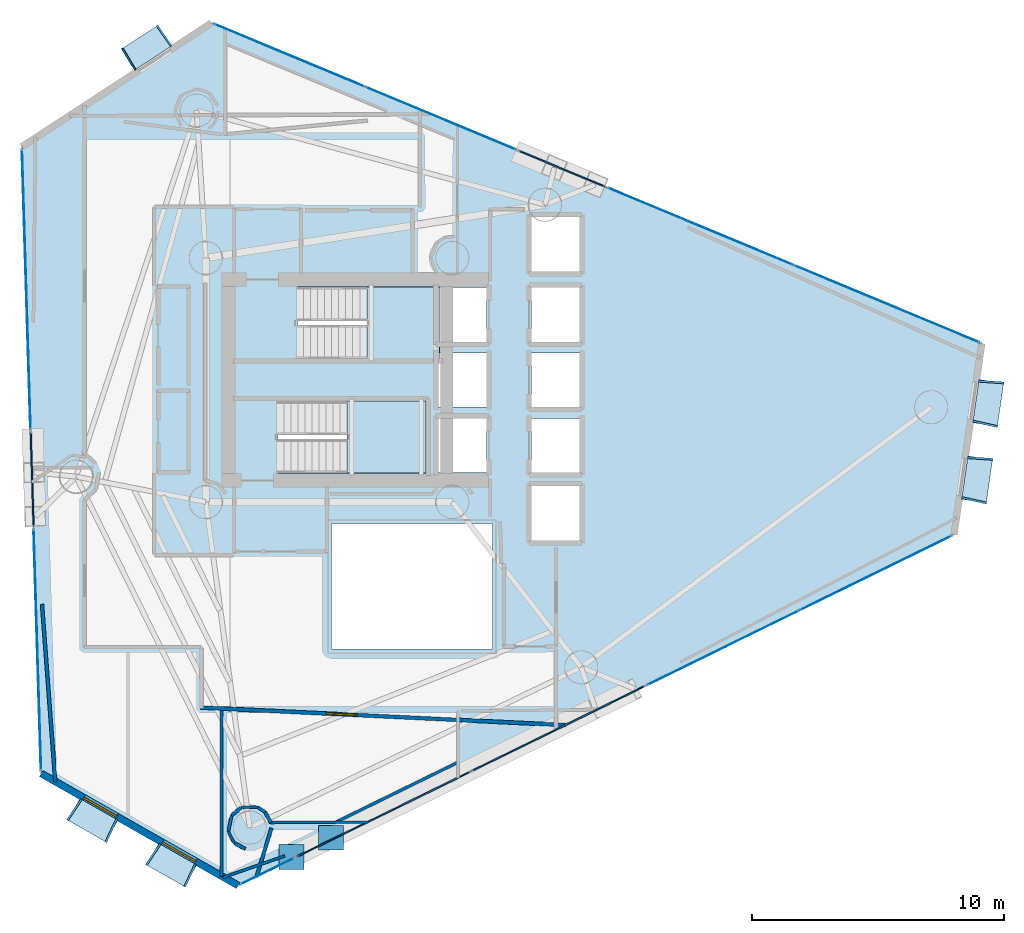
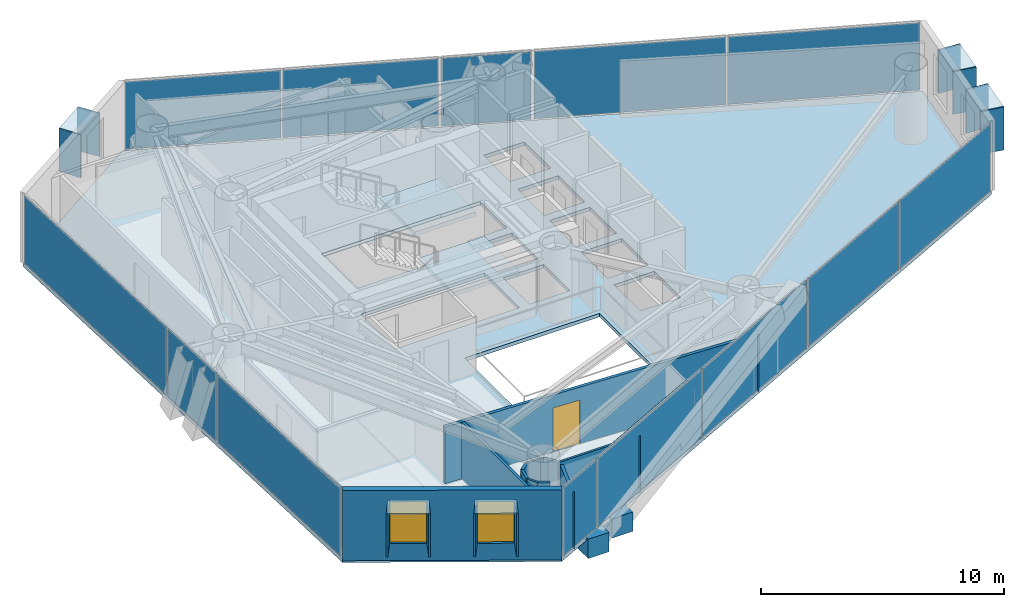
# One storey, part 17 of 22: 30 plates, 15 walls, 3 slabs, 2 windows, 1 door, 3 openings, 11 elements without a shape of their own.
"""IFC4 building model written with IfcOpenShell, lengths in metres."""

from ifc_helpers import new_model, si_unit, direction, frame, frame_2d, origin, origin_2d, place, context, subcontext, project, spatial, polyline, rectangle, outline, extrude, material, layer, layer_set, type_object, element, fill, aggregate, save


model = new_model("IFC4")

# Units and contexts
model_context = context("Model", 3, precision=1e-05, world=origin(), true_north=direction((0.0, 1.0)))
body_context = subcontext(model_context, "Body", "Model", "MODEL_VIEW")
ifc_project = project(units=[si_unit("LENGTHUNIT", "METRE"), si_unit("AREAUNIT", "SQUARE_METRE"), si_unit("VOLUMEUNIT", "CUBIC_METRE"), si_unit("PLANEANGLEUNIT", "RADIAN"), si_unit("MASSUNIT", "GRAM", prefix="KILO")], contexts=[model_context])

# Site, building, storey
site_placement = place(None, origin())
site = spatial("IfcSite", under=ifc_project, at=site_placement, CompositionType="ELEMENT")
building_placement = place(site_placement, origin())
building = spatial("IfcBuilding", under=site, at=building_placement, Name="Qianvela Tower", CompositionType="ELEMENT")
storey_placement = place(building_placement, frame((0.0, 0.0, 155.0)))
storey = spatial("IfcBuildingStorey", under=building, at=storey_placement, Name="L39", CompositionType="ELEMENT", Elevation=155.0)

# Curtain wall, plate
ifc_material_1 = material(Name="Anodised Architectural Aluminium and Insulated Spandrel Panel", Category="aluminium")
ifc_layer_1 = layer(ifc_material_1, 0.179931640625)
ifc_layer_set_1 = layer_set([ifc_layer_1], Name="Anodised Architectural Aluminium and Insulated Spandrel Panel")
curtain_wall_type_1 = type_object("IfcCurtainWallType", Name="CW-BRACEBAY", PredefinedType="USERDEFINED", material=ifc_layer_set_1)
curtain_wall_1_placement = place(storey_placement, origin())
curtain_wall_1 = element("IfcCurtainWall", 1, at=curtain_wall_1_placement, inside=storey, type_object=curtain_wall_type_1, Name="L39 CW-BRACEBAY Curtain Wall 02B", ObjectType="CURTAIN_WALL_SYSTEM", PredefinedType="USERDEFINED")
ifc_material_2 = material(Name="Insulated Aluminium Spandrel Panel with Mineral-Wool Backpan", Category="aluminium")
ifc_layer_2 = layer(ifc_material_2, 0.06005859375)
ifc_layer_set_2 = layer_set([ifc_layer_2], Name="Insulated Aluminium Spandrel Panel with Mineral-Wool Backpan")
plate_type_1 = type_object("IfcPlateType", Name="CW-BRACEBAY-PNL", PredefinedType="CURTAIN_PANEL", material=ifc_layer_set_2)
plate_1_placement = place(storey_placement, frame((42.7568359375, 37.09912109375, 0.06494140625), z_axis=(0.0, 0.0, 1.0), x_axis=(-0.92325989436, 0.38417595899, 0.0)))
plate_1 = element("IfcPlate", 2, at=plate_1_placement, type_object=plate_type_1, Name="CW-9 panel 1.1", PredefinedType="CURTAIN_PANEL", context=body_context, shape_type="SweptSolid", body=[
    extrude(rectangle(XDim=3.699951171875, YDim=0.06005859375, at=origin_2d()), origin(), (0.0, 0.0, 1.0), 3.389892578125),
])
aggregate(curtain_wall_1, [plate_1])

curtain_wall_2_placement = place(storey_placement, origin())
curtain_wall_2 = element("IfcCurtainWall", 3, at=curtain_wall_2_placement, inside=storey, type_object=curtain_wall_type_1, Name="L39 CW-BRACEBAY Curtain Wall 04B", ObjectType="CURTAIN_WALL_SYSTEM", PredefinedType="USERDEFINED")
plate_2_placement = place(storey_placement, frame((21.697021484375, 24.757568359375, 0.06494140625), z_axis=(0.0, 0.0, 1.0), x_axis=(0.030696442709, -0.999528753166, 0.0)))
plate_2 = element("IfcPlate", 4, at=plate_2_placement, type_object=plate_type_1, Name="CW-9 panel 1.1", PredefinedType="CURTAIN_PANEL", context=body_context, shape_type="SweptSolid", body=[
    extrude(rectangle(XDim=3.75, YDim=0.06005859375, at=origin_2d()), origin(), (0.0, 0.0, 1.0), 3.389892578125),
])
aggregate(curtain_wall_2, [plate_2])

# Curtain wall, plates
curtain_wall_3_placement = place(storey_placement, origin())
curtain_wall_3 = element("IfcCurtainWall", 5, at=curtain_wall_3_placement, inside=storey, type_object=curtain_wall_type_1, Name="L39 CW-BRACEBAY Curtain Wall 06B", ObjectType="CURTAIN_WALL_SYSTEM", PredefinedType="USERDEFINED")
plate_3_placement = place(storey_placement, frame((35.66943359375, 11.44140625, 0.06494140625), z_axis=(0.0, 0.0, 1.0), x_axis=(0.897928666961, 0.440141010415, 0.0)))
plate_3 = element("IfcPlate", 6, at=plate_3_placement, type_object=plate_type_1, Name="CW-9 panel 1.1", PredefinedType="CURTAIN_PANEL", context=body_context, shape_type="SweptSolid", body=[
    extrude(rectangle(XDim=7.657470703125, YDim=0.06005859375, at=origin_2d()), origin(), (0.0, 0.0, 1.0), 3.389892578125),
])
plate_4_placement = place(storey_placement, frame((42.603515625, 14.84033203125, 0.06494140625), z_axis=(0.0, 0.0, 1.0), x_axis=(0.897928666961, 0.440141010415, 0.0)))
plate_4 = element("IfcPlate", 7, at=plate_4_placement, type_object=plate_type_1, Name="CW-9 panel 2.1", PredefinedType="CURTAIN_PANEL", context=body_context, shape_type="SweptSolid", body=[
    extrude(rectangle(XDim=7.657470703125, YDim=0.06005859375, at=origin_2d()), origin(), (0.0, 0.0, 1.0), 3.389892578125),
])
aggregate(curtain_wall_3, [plate_3, plate_4])

ifc_material_3 = material(Name="Anodised Architectural Aluminium and Low-E Glass", Category="aluminium")
ifc_layer_3 = layer(ifc_material_3, 0.169921875)
ifc_layer_set_3 = layer_set([ifc_layer_3], Name="Anodised Architectural Aluminium and Low-E Glass")
curtain_wall_type_2 = type_object("IfcCurtainWallType", Name="CW-COLIV-Z34", PredefinedType="USERDEFINED", material=ifc_layer_set_3)
curtain_wall_4_placement = place(storey_placement, origin())
curtain_wall_4 = element("IfcCurtainWall", 8, at=curtain_wall_4_placement, inside=storey, type_object=curtain_wall_type_2, Name="L39 CW-COLIV-Z34 Curtain Wall 02A", ObjectType="CURTAIN_WALL_SYSTEM", PredefinedType="USERDEFINED")
ifc_material_4 = material(Name="Double-Silver Low-E Insulated Glass", Category="glass")
ifc_layer_4 = layer(ifc_material_4, 0.028076171875)
ifc_layer_set_4 = layer_set([ifc_layer_4], Name="Double-Silver Low-E Insulated Glass")
plate_type_2 = type_object("IfcPlateType", Name="CW-COLIV-Z34-PNL", PredefinedType="CURTAIN_PANEL", material=ifc_layer_set_4)
plate_5_placement = place(storey_placement, frame((55.6650390625, 31.727783203125, 0.06494140625), z_axis=(0.0, 0.0, 1.0), x_axis=(-0.923256064596, 0.384185162633, 0.0)))
plate_5 = element("IfcPlate", 9, at=plate_5_placement, type_object=plate_type_2, Name="CW-4 panel 1.1", PredefinedType="CURTAIN_PANEL", context=body_context, shape_type="SweptSolid", body=[
    extrude(rectangle(XDim=7.95751953125, YDim=0.028076171875, at=origin_2d()), origin(), (0.0, 0.0, 1.0), 3.389892578125),
])
plate_6_placement = place(storey_placement, frame((48.25830078125, 34.809814453125, 0.06494140625), z_axis=(0.0, 0.0, 1.0), x_axis=(-0.923256064596, 0.384185162633, 0.0)))
plate_6 = element("IfcPlate", 10, at=plate_6_placement, type_object=plate_type_2, Name="CW-4 panel 2.1", PredefinedType="CURTAIN_PANEL", context=body_context, shape_type="SweptSolid", body=[
    extrude(rectangle(XDim=7.95751953125, YDim=0.028076171875, at=origin_2d()), origin(), (0.0, 0.0, 1.0), 3.389892578125),
])
aggregate(curtain_wall_4, [plate_5, plate_6])

curtain_wall_5_placement = place(storey_placement, origin())
curtain_wall_5 = element("IfcCurtainWall", 11, at=curtain_wall_5_placement, inside=storey, type_object=curtain_wall_type_2, Name="L39 CW-COLIV-Z34 Curtain Wall 02C", ObjectType="CURTAIN_WALL_SYSTEM", PredefinedType="USERDEFINED")
plate_7_placement = place(storey_placement, frame((37.945556640625, 39.10107421875, 0.06494140625), z_axis=(0.0, 0.0, 1.0), x_axis=(-0.923255425345, 0.384186698847, 0.0)))
plate_7 = element("IfcPlate", 12, at=plate_7_placement, type_object=plate_type_2, Name="CW-4 panel 1.1", PredefinedType="CURTAIN_PANEL", context=body_context, shape_type="SweptSolid", body=[
    extrude(rectangle(XDim=6.46240234375, YDim=0.028076171875, at=origin_2d()), origin(), (0.0, 0.0, 1.0), 3.389892578125),
])
plate_8_placement = place(storey_placement, frame((31.919189453125, 41.60888671875, 0.06494140625), z_axis=(0.0, 0.0, 1.0), x_axis=(-0.923255425345, 0.384186698847, 0.0)))
plate_8 = element("IfcPlate", 13, at=plate_8_placement, type_object=plate_type_2, Name="CW-4 panel 2.1", PredefinedType="CURTAIN_PANEL", context=body_context, shape_type="SweptSolid", body=[
    extrude(rectangle(XDim=6.46240234375, YDim=0.028076171875, at=origin_2d()), origin(), (0.0, 0.0, 1.0), 3.389892578125),
])
aggregate(curtain_wall_5, [plate_7, plate_8])

# Curtain wall, plate
curtain_wall_6_placement = place(storey_placement, origin())
curtain_wall_6 = element("IfcCurtainWall", 14, at=curtain_wall_6_placement, inside=storey, type_object=curtain_wall_type_2, Name="L39 CW-COLIV-Z34 Curtain Wall 04A", ObjectType="CURTAIN_WALL_SYSTEM", PredefinedType="USERDEFINED")
plate_9_placement = place(storey_placement, frame((21.46484375, 32.308837890625, 0.06494140625), z_axis=(0.0, 0.0, 1.0), x_axis=(0.030721280446, -0.999527990067, 0.0)))
plate_9 = element("IfcPlate", 15, at=plate_9_placement, type_object=plate_type_2, Name="CW-4 panel 1.1", PredefinedType="CURTAIN_PANEL", context=body_context, shape_type="SweptSolid", body=[
    extrude(rectangle(XDim=11.10009765625, YDim=0.028076171875, at=origin_2d()), origin(), (0.0, 0.0, 1.0), 3.389892578125),
])
aggregate(curtain_wall_6, [plate_9])

curtain_wall_7_placement = place(storey_placement, origin())
curtain_wall_7 = element("IfcCurtainWall", 16, at=curtain_wall_7_placement, inside=storey, type_object=curtain_wall_type_2, Name="L39 CW-COLIV-Z34 Curtain Wall 04C", ObjectType="CURTAIN_WALL_SYSTEM", PredefinedType="USERDEFINED")
plate_10_placement = place(storey_placement, frame((21.90576171875, 17.96240234375, 0.06494140625), z_axis=(0.0, 0.0, 1.0), x_axis=(0.030719402241, -0.999528047794, 0.0)))
plate_10 = element("IfcPlate", 17, at=plate_10_placement, type_object=plate_type_2, Name="CW-4 panel 1.1", PredefinedType="CURTAIN_PANEL", context=body_context, shape_type="SweptSolid", body=[
    extrude(rectangle(XDim=9.5869140625, YDim=0.028076171875, at=origin_2d()), origin(), (0.0, 0.0, 1.0), 3.389892578125),
])
aggregate(curtain_wall_7, [plate_10])

curtain_wall_8_placement = place(storey_placement, origin())
curtain_wall_8 = element("IfcCurtainWall", 18, at=curtain_wall_8_placement, inside=storey, type_object=curtain_wall_type_2, Name="L39 CW-COLIV-Z34 Curtain Wall 06A", ObjectType="CURTAIN_WALL_SYSTEM", PredefinedType="USERDEFINED")
plate_11_placement = place(storey_placement, frame((31.050537109375, 9.17724609375, 0.06494140625), z_axis=(0.0, 0.0, 1.0), x_axis=(0.897919482797, 0.440159746472, 0.0)))
plate_11 = element("IfcPlate", 19, at=plate_11_placement, type_object=plate_type_2, Name="CW-4 panel 1.1", PredefinedType="CURTAIN_PANEL", context=body_context, shape_type="SweptSolid", body=[
    extrude(rectangle(XDim=2.3701171875, YDim=0.028076171875, at=origin_2d()), origin(), (0.0, 0.0, 1.0), 3.389892578125),
])
aggregate(curtain_wall_8, [plate_11])

# Curtain wall, plates
curtain_wall_9_placement = place(storey_placement, origin())
curtain_wall_9 = element("IfcCurtainWall", 20, at=curtain_wall_9_placement, inside=storey, type_object=curtain_wall_type_2, Name="L39 CW-COLIV-Z34 Curtain Wall 06C", ObjectType="CURTAIN_WALL_SYSTEM", PredefinedType="USERDEFINED")
plate_12_placement = place(storey_placement, frame((49.16357421875, 18.055908203125, 0.06494140625), z_axis=(0.0, 0.0, 1.0), x_axis=(0.897926028885, 0.440146392296, 0.0)))
plate_12 = element("IfcPlate", 21, at=plate_12_placement, type_object=plate_type_2, Name="CW-4 panel 1.1", PredefinedType="CURTAIN_PANEL", context=body_context, shape_type="SweptSolid", body=[
    extrude(rectangle(XDim=6.693603515625, YDim=0.028076171875, at=origin_2d()), origin(), (0.0, 0.0, 1.0), 3.389892578125),
])
plate_13_placement = place(storey_placement, frame((55.232177734375, 21.030517578125, 0.06494140625), z_axis=(0.0, 0.0, 1.0), x_axis=(0.897926028885, 0.440146392296, 0.0)))
plate_13 = element("IfcPlate", 22, at=plate_13_placement, type_object=plate_type_2, Name="CW-4 panel 2.1", PredefinedType="CURTAIN_PANEL", context=body_context, shape_type="SweptSolid", body=[
    extrude(rectangle(XDim=6.693603515625, YDim=0.028076171875, at=origin_2d()), origin(), (0.0, 0.0, 1.0), 3.389892578125),
])
aggregate(curtain_wall_9, [plate_12, plate_13])

# Plates
ifc_material_5 = material(Name="Steel Q420GJC", Category="steel")
ifc_layer_5 = layer(ifc_material_5, 0.1298828125)
ifc_layer_set_5 = layer_set([ifc_layer_5], Name="Steel Q420GJC")
plate_type_3 = type_object("IfcPlateType", Name="PT-ENDCAP-130", PredefinedType="USERDEFINED", material=ifc_layer_set_5)
for number, where, z_axis, x_axis, name in (
    (23, (32.00341796875, 9.7333984375, -0.98291015625), (0.0, 0.0, 1.0), (1.0, 0.0, 0.0), "L39 Hollow Section End Cap Plate A"),
    (24, (33.576904296875, 10.504638671875, -0.98291015625), (0.0, 0.0, 1.0), (1.0, 0.0, 0.0), "L39 Hollow Section End Cap Plate A"),
):
    element("IfcPlate", number, at=place(storey_placement, frame(where, z_axis=z_axis, x_axis=x_axis)), inside=storey, type_object=plate_type_3, Name=name, ObjectType="END_CAP", PredefinedType="USERDEFINED", context=body_context, shape_type="SweptSolid", body=[
        extrude(rectangle(XDim=0.989990234375, YDim=0.989990234375, at=origin_2d()), origin(), (0.0, 0.0, 1.0), 0.969970703125),
    ])

# Slab
ifc_material_6 = material(Name="Concrete C40", Category="concrete")
ifc_layer_6 = layer(ifc_material_6, 0.179931640625)
ifc_layer_set_6 = layer_set([ifc_layer_6], Name="Concrete C40")
slab_type_1 = type_object("IfcSlabType", Name="SL-FLOOR-180", PredefinedType="FLOOR", material=ifc_layer_set_6)
slab_1_placement = place(storey_placement, frame((0.0, 0.0, -0.179931640625)))
element("IfcSlab", 25, at=slab_1_placement, inside=storey, type_object=slab_type_1, Name="L39 Composite Structural Floor Slab", PredefinedType="FLOOR", context=body_context, shape_type="SweptSolid", body=[
    extrude(outline(polyline([(58.3408203125, 22.55419921875), (59.444580078125, 30.155029296875), (28.82958984375, 42.894287109375), (21.291015625, 37.97119140625), (22.056396484375, 13.05615234375), (29.88330078125, 8.60498046875), (58.3408203125, 22.55419921875)]), holes=[polyline([(40.0, 23.0), (33.60009765625, 23.0), (33.60009765625, 18.0), (40.0, 18.0), (40.0, 23.0)]), polyline([(39.760009765625, 27.179931640625), (37.840087890625, 27.179931640625), (37.840087890625, 25.02001953125), (39.760009765625, 25.02001953125), (39.760009765625, 27.179931640625)]), polyline([(37.35009765625, 27.860107421875), (31.469970703125, 27.860107421875), (31.469970703125, 25.0), (37.35009765625, 25.0), (37.35009765625, 27.860107421875)]), polyline([(37.840087890625, 27.6201171875), (39.760009765625, 27.6201171875), (39.760009765625, 29.780029296875), (37.89990234375, 29.780029296875), (37.89990234375, 30.219970703125), (39.760009765625, 30.219970703125), (39.760009765625, 32.3798828125), (37.89990234375, 32.3798828125), (37.89990234375, 32.39990234375), (32.25, 32.39990234375), (32.25, 29.5400390625), (37.840087890625, 29.5400390625), (37.840087890625, 27.6201171875)]), polyline([(43.4599609375, 22.320068359375), (43.4599609375, 24.47998046875), (41.5400390625, 24.47998046875), (41.5400390625, 22.320068359375), (43.4599609375, 22.320068359375)]), polyline([(43.4599609375, 25.02001953125), (43.4599609375, 27.179931640625), (41.5400390625, 27.179931640625), (41.5400390625, 25.02001953125), (43.4599609375, 25.02001953125)]), polyline([(43.4599609375, 29.780029296875), (41.5400390625, 29.780029296875), (41.5400390625, 27.6201171875), (43.4599609375, 27.6201171875), (43.4599609375, 29.780029296875)]), polyline([(43.4599609375, 30.219970703125), (43.4599609375, 32.3798828125), (41.5400390625, 32.3798828125), (41.5400390625, 30.219970703125), (43.4599609375, 30.219970703125)]), polyline([(43.4599609375, 33.02001953125), (43.4599609375, 35.179931640625), (41.5400390625, 35.179931640625), (41.5400390625, 33.02001953125), (43.4599609375, 33.02001953125)])]), origin(), (0.0, 0.0, 1.0), 0.179931640625),
])

# Stair, slab
ifc_material_7 = material(Name="Concrete C40", Category="concrete")
stair_type = type_object("IfcStairType", Name="ST-DOGLEG-1350-R168-N22", PredefinedType="HALF_TURN_STAIR", material=ifc_material_7)
stair_1_placement = place(storey_placement, origin())
stair_1 = element("IfcStair", 26, at=stair_1_placement, inside=storey, type_object=stair_type, Name="L39 Smoke-Proof Core Stair ST-1", PredefinedType="HALF_TURN_STAIR")
ifc_material_8 = material(Name="Concrete C40", Category="concrete")
ifc_layer_7 = layer(ifc_material_8, 0.199951171875)
ifc_layer_set_7 = layer_set([ifc_layer_7], Name="Concrete C40")
slab_type_2 = type_object("IfcSlabType", Name="SL-STAIR-LANDING-200", PredefinedType="LANDING", material=ifc_layer_set_7)
slab_2_placement = place(storey_placement, frame((0.0, 0.0, 1.64990234375)))
slab_2 = element("IfcSlab", 27, at=slab_2_placement, type_object=slab_type_2, Name="ST-1 landing 1", PredefinedType="LANDING", context=body_context, shape_type="SweptSolid", body=[
    extrude(outline(polyline([(35.0, 29.5400390625), (37.89990234375, 29.5400390625), (37.89990234375, 32.39990234375), (35.0, 32.39990234375), (35.0, 29.5400390625)])), origin(), (0.0, 0.0, 1.0), 0.2001953125),
])
aggregate(stair_1, [slab_2])

stair_2_placement = place(storey_placement, origin())
stair_2 = element("IfcStair", 28, at=stair_2_placement, inside=storey, type_object=stair_type, Name="L39 Smoke-Proof Core Stair ST-2", PredefinedType="HALF_TURN_STAIR")
slab_3_placement = place(storey_placement, frame((0.0, 0.0, 1.64990234375)))
slab_3 = element("IfcSlab", 29, at=slab_3_placement, type_object=slab_type_2, Name="ST-2 landing 1", PredefinedType="LANDING", context=body_context, shape_type="SweptSolid", body=[
    extrude(outline(polyline([(34.219970703125, 25.0), (37.35009765625, 25.0), (37.35009765625, 27.860107421875), (34.219970703125, 27.860107421875), (34.219970703125, 25.0)])), origin(), (0.0, 0.0, 1.0), 0.2001953125),
])
aggregate(stair_2, [slab_3])

# Plates
ifc_material_9 = material(Name="Vitrified Architectural Terracotta Panel", Category="masonry")
ifc_layer_8 = layer(ifc_material_9, 0.06494140625)
ifc_layer_set_8 = layer_set([ifc_layer_8], Name="Vitrified Architectural Terracotta Panel")
plate_type_4 = type_object("IfcPlateType", Name="TERRACOTTA-SUNSHADE-HOOD-FOLD-B", PredefinedType="USERDEFINED", material=ifc_layer_set_8)
plate_14_placement = place(storey_placement, frame((26.24267578125, 41.915771484375, 2.9599609375), z_axis=(0.0, 0.0, 1.0), x_axis=(-0.837280962229, -0.546772887303, 0.0)))
element("IfcPlate", 30, at=plate_14_placement, inside=storey, type_object=plate_type_4, Name="L39 Terracotta Sunshade Hood FOLD-B", ObjectType="SUNSHADE", PredefinedType="USERDEFINED", context=body_context, shape_type="SweptSolid", body=[
    extrude(rectangle(XDim=1.739990234375, YDim=0.989990234375, at=origin_2d()), origin(), (0.0, 0.0, 1.0), 0.06005859375),
])
ifc_material_10 = material(Name="Vitrified Architectural Terracotta Panel", Category="masonry")
ifc_layer_9 = layer(ifc_material_10, 0.074951171875)
ifc_layer_set_9 = layer_set([ifc_layer_9], Name="Vitrified Architectural Terracotta Panel")
plate_type_5 = type_object("IfcPlateType", Name="TERRACOTTA-SUNSHADE-HOOD-FOLD-D", PredefinedType="USERDEFINED", material=ifc_layer_set_9)
for number, where, z_axis, x_axis, name in (
    (31, (59.2607421875, 24.7490234375, 2.9599609375), (0.0, 0.0, 1.0), (0.143729253536, 0.989617047993, 0.0), "L39 Terracotta Sunshade Hood FOLD-D"),
    (32, (59.702392578125, 27.789306640625, 2.9599609375), (0.0, 0.0, 1.0), (0.143729253536, 0.989617047993, 0.0), "L39 Terracotta Sunshade Hood FOLD-D"),
    (33, (24.1103515625, 11.20361328125, 2.9599609375), (0.0, 0.0, 1.0), (0.869268107929, -0.494340931481, 0.0), "L39 Terracotta Sunshade Hood FOLD-D"),
    (34, (27.2412109375, 9.423095703125, 2.9599609375), (0.0, 0.0, 1.0), (0.869268107929, -0.494340931481, 0.0), "L39 Terracotta Sunshade Hood FOLD-D"),
):
    element("IfcPlate", number, at=place(storey_placement, frame(where, z_axis=z_axis, x_axis=x_axis)), inside=storey, type_object=plate_type_5, Name=name, ObjectType="SUNSHADE", PredefinedType="USERDEFINED", context=body_context, shape_type="SweptSolid", body=[
        extrude(rectangle(XDim=1.739990234375, YDim=0.989990234375, at=origin_2d()), origin(), (0.0, 0.0, 1.0), 0.06005859375),
    ])
ifc_material_11 = material(Name="Vitrified Architectural Terracotta Side Fin Panel", Category="masonry")
ifc_layer_10 = layer(ifc_material_11, 0.070068359375)
ifc_layer_set_10 = layer_set([ifc_layer_10], Name="Vitrified Architectural Terracotta Side Fin Panel")
plate_type_6 = type_object("IfcPlateType", Name="TERRACOTTA-SUNSHADE-STRUT-FOLD-B", PredefinedType="USERDEFINED", material=ifc_layer_set_10)
for number, where, z_axis, x_axis, name in (
    (35, (26.946044921875, 42.375, 0.85009765625), (0.0, 0.0, 1.0), (-0.820192815674, -0.572087183143, 0.0), "L39 Terracotta Sunshade Side Fin HL FOLD-B"),
    (36, (25.539306640625, 41.456298828125, 0.85009765625), (0.0, 0.0, 1.0), (-0.853588077757, -0.520948551693, 0.0), "L39 Terracotta Sunshade Side Fin HR FOLD-B"),
):
    element("IfcPlate", number, at=place(storey_placement, frame(where, z_axis=z_axis, x_axis=x_axis)), inside=storey, type_object=plate_type_6, Name=name, ObjectType="SUNSHADE", PredefinedType="USERDEFINED", context=body_context, shape_type="SweptSolid", body=[
        extrude(rectangle(XDim=0.070068359375, YDim=1.010009765625, at=origin_2d()), origin(), (0.0, 0.0, 1.0), 2.159912109375),
    ])
ifc_material_12 = material(Name="Vitrified Architectural Terracotta Side Fin Panel", Category="masonry")
ifc_layer_11 = layer(ifc_material_12, 0.080078125)
ifc_layer_set_11 = layer_set([ifc_layer_11], Name="Vitrified Architectural Terracotta Side Fin Panel")
plate_type_7 = type_object("IfcPlateType", Name="TERRACOTTA-SUNSHADE-STRUT-FOLD-D", PredefinedType="USERDEFINED", material=ifc_layer_set_11)
for number, where, z_axis, x_axis, name in (
    (37, (59.139892578125, 23.917724609375, 0.85009765625), (0.0, 0.0, 1.0), (0.216673049992, 0.976244226312, 0.0), "L39 Terracotta Sunshade Side Fin HL FOLD-D"),
    (38, (59.38134765625, 25.580322265625, 0.85009765625), (0.0, 0.0, 1.0), (0.069994999395, 0.997547342265, 0.0), "L39 Terracotta Sunshade Side Fin HR FOLD-D"),
    (39, (59.58154296875, 26.9580078125, 0.85009765625), (0.0, 0.0, 1.0), (0.216673049992, 0.976244226312, 0.0), "L39 Terracotta Sunshade Side Fin HL FOLD-D"),
    (40, (59.822998046875, 28.62060546875, 0.85009765625), (0.0, 0.0, 1.0), (0.069994999395, 0.997547342265, 0.0), "L39 Terracotta Sunshade Side Fin HR FOLD-D"),
    (41, (23.380126953125, 11.618896484375, 0.85009765625), (0.0, 0.0, 1.0), (0.830242921459, -0.557401732475, 0.0), "L39 Terracotta Sunshade Side Fin HL FOLD-D"),
    (42, (24.840576171875, 10.788330078125, 0.85009765625), (0.0, 0.0, 1.0), (0.903512641607, -0.428561438368, 0.0), "L39 Terracotta Sunshade Side Fin HR FOLD-D"),
    (43, (26.510986328125, 9.83837890625, 0.85009765625), (0.0, 0.0, 1.0), (0.830242921459, -0.557401732475, 0.0), "L39 Terracotta Sunshade Side Fin HL FOLD-D"),
    (44, (27.97119140625, 9.0078125, 0.85009765625), (0.0, 0.0, 1.0), (0.903512641607, -0.428561438368, 0.0), "L39 Terracotta Sunshade Side Fin HR FOLD-D"),
):
    element("IfcPlate", number, at=place(storey_placement, frame(where, z_axis=z_axis, x_axis=x_axis)), inside=storey, type_object=plate_type_7, Name=name, ObjectType="SUNSHADE", PredefinedType="USERDEFINED", context=body_context, shape_type="SweptSolid", body=[
        extrude(rectangle(XDim=0.080078125, YDim=1.010009765625, at=origin_2d()), origin(), (0.0, 0.0, 1.0), 2.159912109375),
    ])

# Wall, openings, windows
ifc_material_13 = material(Name="Terracotta Cladding on Concrete C40", Category="masonry")
ifc_layer_12 = layer(ifc_material_13, 0.280029296875)
ifc_layer_set_12 = layer_set([ifc_layer_12], Name="Terracotta Cladding on Concrete C40")
wall_type_1 = type_object("IfcWallType", Name="TERRACOTTA-WALL-280", PredefinedType="SOLIDWALL", material=ifc_layer_set_12)
wall_1_placement = place(storey_placement, frame((22.056396484375, 13.05615234375, 0.0), z_axis=(0.0, 0.0, 1.0), x_axis=(0.869262475314, -0.494350835956, 0.0)))
wall_1 = element("IfcWall", 45, at=wall_1_placement, inside=storey, type_object=wall_type_1, Name="L39 Terracotta Chamfer Facet Wall 5", PredefinedType="SOLIDWALL", context=body_context, shape_type="SweptSolid", body=[
    extrude(rectangle(XDim=9.004150390625, YDim=0.280029296875, at=frame_2d((4.501953125, 0.0))), origin(), (0.0, 0.0, 1.0), 3.52001953125),
])
opening_1_placement = place(wall_1_placement, frame((1.951171875, 0.0, 0.85009765625)))
opening_1 = element("IfcOpeningElement", 46, at=opening_1_placement, cuts=wall_1, Name="Opening W-02", PredefinedType="OPENING", context=body_context, shape_type="SweptSolid", body=[
    extrude(rectangle(XDim=1.5, YDim=2.10009765625, at=frame_2d((0.75, 1.050048828125))), frame((0.0, 0.14990234375, 0.0), z_axis=(0.0, -1.0, 0.0), x_axis=(1.0, 0.0, 0.0)), (0.0, 0.0, 1.0), 0.300048828125),
])
opening_2_placement = place(wall_1_placement, frame((5.552734375, 0.0, 0.85009765625)))
opening_2 = element("IfcOpeningElement", 47, at=opening_2_placement, cuts=wall_1, Name="Opening W-02", PredefinedType="OPENING", context=body_context, shape_type="SweptSolid", body=[
    extrude(rectangle(XDim=1.5, YDim=2.10009765625, at=frame_2d((0.75, 1.050048828125))), frame((0.0, 0.14990234375, 0.0), z_axis=(0.0, -1.0, 0.0), x_axis=(1.0, 0.0, 0.0)), (0.0, 0.0, 1.0), 0.300048828125),
])
ifc_material_14 = material(Name="Thermally Broken Aluminium and Low-E Glass", Category="aluminium")
window_type = type_object("IfcWindowType", Name="WIN-TC-1500x2100", PartitioningType="DOUBLE_PANEL_VERTICAL", PredefinedType="WINDOW", material=ifc_material_14)
window_1_placement = place(opening_1_placement, origin())
window_1 = element("IfcWindow", 48, at=window_1_placement, inside=storey, type_object=window_type, Name="L39 Chamfer Facet Window 5.1", OverallHeight=2.10009765625, OverallWidth=1.5, PartitioningType="SINGLE_PANEL", PredefinedType="WINDOW", context=body_context, shape_type="SweptSolid", body=[
    extrude(rectangle(XDim=1.5, YDim=2.10009765625, at=frame_2d((0.75, 1.050048828125))), frame((0.0, 0.030029296875, 0.0), z_axis=(0.0, -1.0, 0.0), x_axis=(1.0, 0.0, 0.0)), (0.0, 0.0, 1.0), 0.06005859375),
])
fill(opening_1, window_1)
window_2_placement = place(opening_2_placement, origin())
window_2 = element("IfcWindow", 49, at=window_2_placement, inside=storey, type_object=window_type, Name="L39 Chamfer Facet Window 5.2", OverallHeight=2.10009765625, OverallWidth=1.5, PartitioningType="SINGLE_PANEL", PredefinedType="WINDOW", context=body_context, shape_type="SweptSolid", body=[
    extrude(rectangle(XDim=1.5, YDim=2.10009765625, at=frame_2d((0.75, 1.050048828125))), frame((0.0, 0.030029296875, 0.0), z_axis=(0.0, -1.0, 0.0), x_axis=(1.0, 0.0, 0.0)), (0.0, 0.0, 1.0), 0.06005859375),
])
fill(opening_2, window_2)

# Wall, opening, door
ifc_material_15 = material(Name="Fire-Rated Acoustic Gypsum Board")
ifc_layer_13 = layer(ifc_material_15, 0.14990234375)
ifc_layer_set_13 = layer_set([ifc_layer_13], Name="Fire-Rated Acoustic Gypsum Board")
wall_type_2 = type_object("IfcWallType", Name="WT-CORR-150", PredefinedType="PARTITIONING", material=ifc_layer_set_13)
wall_2_placement = place(storey_placement, frame((42.892578125, 14.98193359375, 0.0), z_axis=(0.0, 0.0, 1.0), x_axis=(-0.9988389824, 0.048173511786, 0.0)))
wall_2 = element("IfcWall", 50, at=wall_2_placement, inside=storey, type_object=wall_type_2, Name="L39 Partition 57", PredefinedType="PARTITIONING", context=body_context, shape_type="SweptSolid", body=[
    extrude(rectangle(XDim=14.509521484375, YDim=0.14990234375, at=frame_2d((7.2548828125, 0.0))), origin(), (0.0, 0.0, 1.0), 2.840087890625),
])
opening_3_placement = place(wall_2_placement, frame((8.274169921875, 0.0, 0.0)))
opening_3 = element("IfcOpeningElement", 51, at=opening_3_placement, cuts=wall_2, Name="Opening D-LG1", PredefinedType="OPENING", context=body_context, shape_type="SweptSolid", body=[
    extrude(rectangle(XDim=1.25, YDim=2.199951171875, at=frame_2d((0.625, 1.10009765625))), frame((0.0, 0.0849609375, 0.0), z_axis=(0.0, -1.0, 0.0), x_axis=(1.0, 0.0, 0.0)), (0.0, 0.0, 1.0), 0.169921875),
])
ifc_material_16 = material(Name="Anodised Aluminium Acoustic Glass Door", Category="aluminium")
door_type = type_object("IfcDoorType", Name="DT-LOUNGE-1250", OperationType="NOTDEFINED", PredefinedType="DOOR", material=ifc_material_16)
door_placement = place(opening_3_placement, origin())
door = element("IfcDoor", 52, at=door_placement, inside=storey, type_object=door_type, Name="L39 Door Student Reading Library L39-02 to L39 Floor Corridor", OperationType="SINGLE_SWING_RIGHT", OverallHeight=2.199951171875, OverallWidth=1.25, PredefinedType="DOOR", context=body_context, shape_type="SweptSolid", body=[
    extrude(rectangle(XDim=1.25, YDim=2.199951171875, at=frame_2d((0.625, 1.10009765625))), frame((0.0, 0.02490234375, 0.0), z_axis=(0.0, -1.0, 0.0), x_axis=(1.0, 0.0, 0.0)), (0.0, 0.0, 1.0), 0.050048828125),
])
fill(opening_3, door)

# Walls
ifc_material_17 = material(Name="Lightweight Gypsum Room Partition")
ifc_layer_14 = layer(ifc_material_17, 0.10498046875)
ifc_layer_set_14 = layer_set([ifc_layer_14], Name="Lightweight Gypsum Room Partition")
wall_type_3 = type_object("IfcWallType", Name="WT-PART-105", PredefinedType="PARTITIONING", material=ifc_layer_set_14)
wall_3_placement = place(storey_placement, frame((35.040283203125, 11.123291015625, 0.0), z_axis=(0.0, 0.0, 1.0), x_axis=(-0.999996828806, -0.00251840793, 0.0)))
element("IfcWall", 53, at=wall_3_placement, inside=storey, type_object=wall_type_3, Name="L39 Partition 73", PredefinedType="PARTITIONING", context=body_context, shape_type="SweptSolid", body=[
    extrude(rectangle(XDim=3.877685546875, YDim=0.10498046875, at=frame_2d((1.93896484375, 0.0))), origin(), (0.0, 0.0, 1.0), 2.840087890625),
])
wall_4_placement = place(storey_placement, frame((30.66650390625, 11.71142578125, 0.0), z_axis=(0.0, 0.0, 1.0), x_axis=(-1.0, 0.0, 0.0)))
element("IfcWall", 54, at=wall_4_placement, inside=storey, type_object=wall_type_3, Name="L39 Partition 76", PredefinedType="PARTITIONING", context=body_context, shape_type="SweptSolid", body=[
    extrude(rectangle(XDim=0.638916015625, YDim=0.10498046875, at=frame_2d((0.3193359375, 0.0))), origin(), (0.0, 0.0, 1.0), 2.840087890625),
])
wall_5_placement = place(storey_placement, frame((29.500732421875, 10.7314453125, 0.0), z_axis=(0.0, 0.0, 1.0), x_axis=(0.471424550379, -0.88190639713, 0.0)))
element("IfcWall", 55, at=wall_5_placement, inside=storey, type_object=wall_type_3, Name="L39 Partition 79", PredefinedType="PARTITIONING", context=body_context, shape_type="SweptSolid", body=[
    extrude(rectangle(XDim=0.484619140625, YDim=0.10498046875, at=frame_2d((0.2421875, 0.0))), origin(), (0.0, 0.0, 1.0), 2.840087890625),
])
wall_6_placement = place(storey_placement, frame((31.7373046875, 9.78125, 0.0), z_axis=(0.0, 0.0, 1.0), x_axis=(-0.94416141108, -0.329483277007, 0.0)))
element("IfcWall", 56, at=wall_6_placement, inside=storey, type_object=wall_type_3, Name="L39 Partition 85 seg 2", PredefinedType="PARTITIONING", context=body_context, shape_type="SweptSolid", body=[
    extrude(rectangle(XDim=2.596435546875, YDim=0.10498046875, at=frame_2d((1.29833984375, 0.0))), origin(), (0.0, 0.0, 1.0), 2.840087890625),
])
ifc_material_18 = material(Name="Insulated Gypsum Stud Partition")
ifc_layer_15 = layer(ifc_material_18, 0.1201171875)
ifc_layer_set_15 = layer_set([ifc_layer_15], Name="Insulated Gypsum Stud Partition")
wall_type_4 = type_object("IfcWallType", Name="WT-PART-120", PredefinedType="PARTITIONING", material=ifc_layer_set_15)
wall_7_placement = place(storey_placement, frame((29.22705078125, 15.570068359375, 0.0), z_axis=(0.0, 0.0, 1.0), x_axis=(0.0, -1.0, 0.0)))
element("IfcWall", 57, at=wall_7_placement, inside=storey, type_object=wall_type_4, Name="L39 Partition 69", PredefinedType="PARTITIONING", context=body_context, shape_type="SweptSolid", body=[
    extrude(rectangle(XDim=6.61181640625, YDim=0.1201171875, at=frame_2d((3.305908203125, 0.0))), origin(), (0.0, 0.0, 1.0), 2.840087890625),
])
wall_8_placement = place(storey_placement, frame((38.644287109375, 13.51318359375, 0.0), z_axis=(0.0, 0.0, 1.0), x_axis=(-0.897915162587, -0.440168559526, 0.0)))
element("IfcWall", 58, at=wall_8_placement, inside=storey, type_object=wall_type_4, Name="L39 Partition 72", PredefinedType="PARTITIONING", context=body_context, shape_type="SweptSolid", body=[
    extrude(rectangle(XDim=5.444580078125, YDim=0.1201171875, at=frame_2d((2.72216796875, 0.0))), origin(), (0.0, 0.0, 1.0), 2.840087890625),
])
wall_9_placement = place(storey_placement, frame((30.95458984375, 11.525146484375, 0.0), z_axis=(0.0, 0.0, 1.0), x_axis=(-0.831126758744, 0.556083007203, 0.0)))
element("IfcWall", 59, at=wall_9_placement, inside=storey, type_object=wall_type_4, Name="L39 Partition 75", PredefinedType="PARTITIONING", context=body_context, shape_type="SweptSolid", body=[
    extrude(rectangle(XDim=0.32568359375, YDim=0.1201171875, at=frame_2d((0.162841796875, 0.0))), origin(), (0.0, 0.0, 1.0), 2.840087890625),
])
wall_10_placement = place(storey_placement, frame((29.622314453125, 11.37890625, 0.0), z_axis=(0.0, 0.0, 1.0), x_axis=(-0.195234371211, -0.98075661624, 0.0)))
element("IfcWall", 60, at=wall_10_placement, inside=storey, type_object=wall_type_4, Name="L39 Partition 78", PredefinedType="PARTITIONING", context=body_context, shape_type="SweptSolid", body=[
    extrude(rectangle(XDim=0.638916015625, YDim=0.1201171875, at=frame_2d((0.3193359375, 0.0))), origin(), (0.0, 0.0, 1.0), 2.840087890625),
])
ifc_material_19 = material(Name="Acoustic Double Gypsum Stud Partition")
ifc_layer_16 = layer(ifc_material_19, 0.139892578125)
ifc_layer_set_16 = layer_set([ifc_layer_16], Name="Acoustic Double Gypsum Stud Partition")
wall_type_5 = type_object("IfcWallType", Name="WT-ROOM-140", PredefinedType="PARTITIONING", material=ifc_layer_set_16)
wall_11_placement = place(storey_placement, frame((22.6181640625, 12.717041015625, 0.0), z_axis=(0.0, 0.0, 1.0), x_axis=(-0.0745288073, 0.997218861074, 0.0)))
element("IfcWall", 61, at=wall_11_placement, inside=storey, type_object=wall_type_5, Name="L39 Partition 71 seg 1", PredefinedType="PARTITIONING", context=body_context, shape_type="SweptSolid", body=[
    extrude(rectangle(XDim=7.0888671875, YDim=0.139892578125, at=frame_2d((3.54443359375, 0.0))), origin(), (0.0, 0.0, 1.0), 2.840087890625),
])
wall_12_placement = place(storey_placement, frame((31.18994140625, 11.09716796875, 0.0), z_axis=(0.0, 0.0, 1.0), x_axis=(-0.475420071565, 0.879758918996, 0.0)))
element("IfcWall", 62, at=wall_12_placement, inside=storey, type_object=wall_type_5, Name="L39 Partition 74", PredefinedType="PARTITIONING", context=body_context, shape_type="SweptSolid", body=[
    extrude(rectangle(XDim=0.473876953125, YDim=0.139892578125, at=frame_2d((0.23681640625, 0.0))), origin(), (0.0, 0.0, 1.0), 2.840087890625),
])
for number, where, z_axis, x_axis, name in (
    (63, (30.0078125, 11.704345703125, 0.0), (0.0, 0.0, 1.0), (-0.773193692611, -0.634169940715, 0.0), "L39 Partition 77"),
    (64, (29.741943359375, 10.291259765625, 0.0), (0.0, 0.0, 1.0), (0.88190639713, -0.471424550379, 0.0), "L39 Partition 80"),
):
    element("IfcWall", number, at=place(storey_placement, frame(where, z_axis=z_axis, x_axis=x_axis)), inside=storey, type_object=wall_type_5, Name=name, PredefinedType="PARTITIONING", context=body_context, shape_type="SweptSolid", body=[
        extrude(rectangle(XDim=0.484619140625, YDim=0.139892578125, at=frame_2d((0.2421875, 0.0))), origin(), (0.0, 0.0, 1.0), 2.840087890625),
    ])
wall_13_placement = place(storey_placement, frame((30.614990234375, 8.947509765625, 0.0), z_axis=(0.0, 0.0, 1.0), x_axis=(0.292812756938, 0.956169801538, 0.0)))
element("IfcWall", 65, at=wall_13_placement, inside=storey, type_object=wall_type_5, Name="L39 Partition 83", PredefinedType="PARTITIONING", context=body_context, shape_type="SweptSolid", body=[
    extrude(rectangle(XDim=2.03515625, YDim=0.139892578125, at=frame_2d((1.017578125, 0.0))), origin(), (0.0, 0.0, 1.0), 2.840087890625),
])

save(model, "model.ifc")
